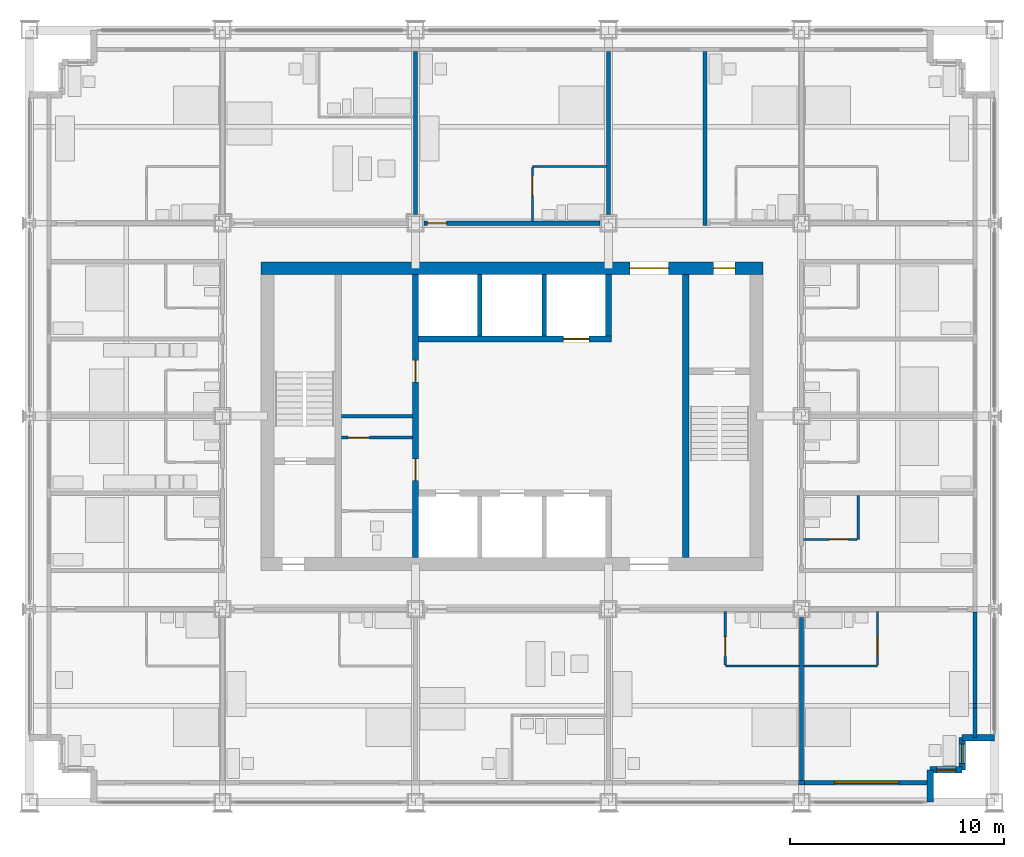
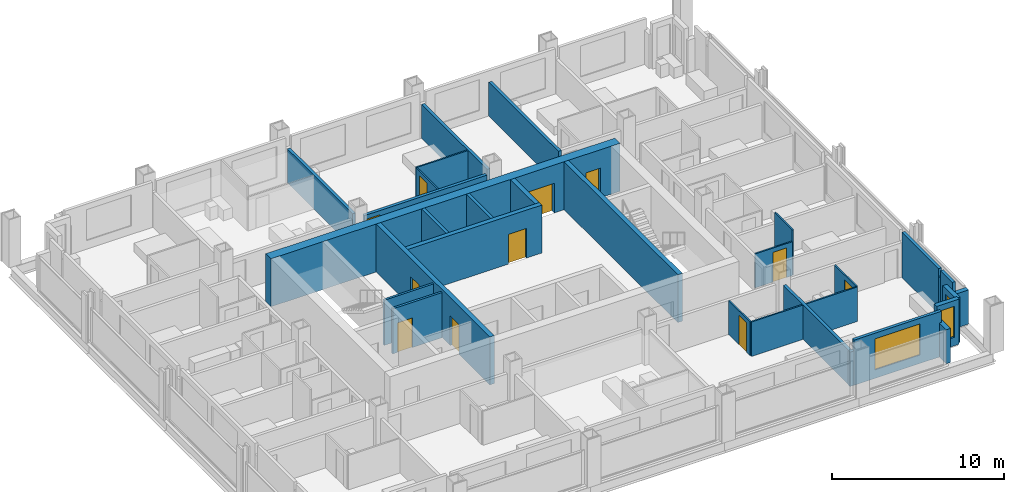
# One storey, part 11 of 16: 31 walls, 11 doors, 3 windows, 14 openings.
"""IFC4 building model written with IfcOpenShell, lengths in metres."""

from ifc_helpers import new_model, si_unit, direction, frame, frame_2d, origin, place, context, subcontext, project, spatial, rectangle, extrude, material, layer, layer_set, type_object, element, fill, save


model = new_model("IFC4")

# Units and contexts
model_context = context("Model", 3, precision=1e-05, world=origin(), true_north=direction((0.0, 1.0)))
body_context = subcontext(model_context, "Body", "Model", "MODEL_VIEW")
ifc_project = project(units=[si_unit("LENGTHUNIT", "METRE"), si_unit("AREAUNIT", "SQUARE_METRE"), si_unit("VOLUMEUNIT", "CUBIC_METRE"), si_unit("PLANEANGLEUNIT", "RADIAN"), si_unit("MASSUNIT", "GRAM", prefix="KILO")], contexts=[model_context])

# Site, building, storey
site_placement = place(None, origin())
site = spatial("IfcSite", under=ifc_project, at=site_placement, CompositionType="ELEMENT")
building_placement = place(site_placement, origin())
building = spatial("IfcBuilding", under=site, at=building_placement, Name="Loomwork Tower", CompositionType="ELEMENT")
storey_placement = place(building_placement, frame((0.0, 0.0, 111.199951171875)))
storey = spatial("IfcBuildingStorey", under=building, at=storey_placement, Name="L29", CompositionType="ELEMENT", Elevation=111.199951171875)

# Wall, openings, doors
ifc_material_1 = material(Name="Concrete 14000 psi (97 MPa)", Category="concrete")
ifc_layer_1 = layer(ifc_material_1, 0.300048828125)
ifc_layer_set_1 = layer_set([ifc_layer_1], Name="Core shear wall 300")
wall_type_1 = type_object("IfcWallType", Name="Core shear wall 300", PredefinedType="SHEAR", material=ifc_layer_set_1)
wall_1_placement = place(storey_placement, frame((18.0, 11.39990234375, 0.0), z_axis=(0.0, 0.0, 1.0), x_axis=(0.0, 1.0, 0.0)))
wall_1 = element("IfcWall", 1, at=wall_1_placement, inside=storey, type_object=wall_type_1, Name="Lobby west wall L29", PredefinedType="SHEAR", context=body_context, shape_type="SweptSolid", body=[
    extrude(rectangle(XDim=13.2001953125, YDim=0.300048828125, at=frame_2d((6.60009765625, 0.0))), origin(), (0.0, 0.0, 1.0), 3.400146484375),
])
opening_1_placement = place(wall_1_placement, frame((3.60009765625, 0.0, 0.0)))
opening_1 = element("IfcOpeningElement", 2, at=opening_1_placement, cuts=wall_1, Name="Opening D5", PredefinedType="OPENING", context=body_context, shape_type="SweptSolid", body=[
    extrude(rectangle(XDim=1.0, YDim=2.10009765625, at=frame_2d((0.5, 1.050048828125))), frame((0.0, 0.159912109375, 0.0), z_axis=(0.0, -1.0, 0.0), x_axis=(1.0, 0.0, 0.0)), (0.0, 0.0, 1.0), 0.320068359375),
])
opening_2_placement = place(wall_1_placement, frame((8.199951171875, 0.0, 0.0)))
opening_2 = element("IfcOpeningElement", 3, at=opening_2_placement, cuts=wall_1, Name="Opening D5", PredefinedType="OPENING", context=body_context, shape_type="SweptSolid", body=[
    extrude(rectangle(XDim=1.0, YDim=2.10009765625, at=frame_2d((0.5, 1.050048828125))), frame((0.0, 0.159912109375, 0.0), z_axis=(0.0, -1.0, 0.0), x_axis=(1.0, 0.0, 0.0)), (0.0, 0.0, 1.0), 0.320068359375),
])
ifc_material_2 = material(Name="Hollow metal door and frame")
door_type_1 = type_object("IfcDoorType", Name="Service door 1000", OperationType="SINGLE_SWING_LEFT", PredefinedType="DOOR", material=ifc_material_2)
door_1_placement = place(opening_1_placement, origin())
door_1 = element("IfcDoor", 4, at=door_1_placement, inside=storey, type_object=door_type_1, Name="Back-of-house door south", OperationType="SINGLE_SWING_LEFT", OverallHeight=2.10009765625, OverallWidth=1.0, PredefinedType="DOOR", context=body_context, shape_type="SweptSolid", body=[
    extrude(rectangle(XDim=1.0, YDim=2.10009765625, at=frame_2d((0.5, 1.050048828125))), frame((0.0, 0.02490234375, 0.0), z_axis=(0.0, -1.0, 0.0), x_axis=(1.0, 0.0, 0.0)), (0.0, 0.0, 1.0), 0.050048828125),
])
fill(opening_1, door_1)
door_2_placement = place(opening_2_placement, origin())
door_2 = element("IfcDoor", 5, at=door_2_placement, inside=storey, type_object=door_type_1, Name="Back-of-house door north", OperationType="SINGLE_SWING_RIGHT", OverallHeight=2.10009765625, OverallWidth=1.0, PredefinedType="DOOR", context=body_context, shape_type="SweptSolid", body=[
    extrude(rectangle(XDim=1.0, YDim=2.10009765625, at=frame_2d((0.5, 1.050048828125))), frame((0.0, 0.02490234375, 0.0), z_axis=(0.0, -1.0, 0.0), x_axis=(1.0, 0.0, 0.0)), (0.0, 0.0, 1.0), 0.050048828125),
])
fill(opening_2, door_2)

# Wall, opening, door
wall_2_placement = place(storey_placement, frame((18.14990234375, 21.60009765625, 0.0), z_axis=(0.0, 0.0, 1.0), x_axis=(1.0, 0.0, 0.0)))
wall_2 = element("IfcWall", 6, at=wall_2_placement, inside=storey, type_object=wall_type_1, Name="Lift front wall north L29", PredefinedType="SHEAR", context=body_context, shape_type="SweptSolid", body=[
    extrude(rectangle(XDim=9.0, YDim=0.300048828125, at=frame_2d((4.5, 0.0))), origin(), (0.0, 0.0, 1.0), 3.400146484375),
])
opening_3_placement = place(wall_2_placement, frame((6.75, 0.0, 0.0)))
opening_3 = element("IfcOpeningElement", 7, at=opening_3_placement, cuts=wall_2, Name="Opening LD2", PredefinedType="OPENING", context=body_context, shape_type="SweptSolid", body=[
    extrude(rectangle(XDim=1.199951171875, YDim=2.10009765625, at=frame_2d((0.60009765625, 1.050048828125))), frame((0.0, 0.159912109375, 0.0), z_axis=(0.0, -1.0, 0.0), x_axis=(1.0, 0.0, 0.0)), (0.0, 0.0, 1.0), 0.320068359375),
])
ifc_material_3 = material(Name="Hollow metal door and frame")
door_type_2 = type_object("IfcDoorType", Name="Lift landing door 1200", OperationType="SLIDING_TO_LEFT", PredefinedType="DOOR", material=ifc_material_3)
door_3_placement = place(opening_3_placement, origin())
door_3 = element("IfcDoor", 8, at=door_3_placement, inside=storey, type_object=door_type_2, Name="Lift landing door LF2", OperationType="SLIDING_TO_LEFT", OverallHeight=2.10009765625, OverallWidth=1.199951171875, PredefinedType="DOOR", context=body_context, shape_type="SweptSolid", body=[
    extrude(rectangle(XDim=1.199951171875, YDim=2.10009765625, at=frame_2d((0.60009765625, 1.050048828125))), frame((0.0, 0.02490234375, 0.0), z_axis=(0.0, -1.0, 0.0), x_axis=(1.0, 0.0, 0.0)), (0.0, 0.0, 1.0), 0.050048828125),
])
fill(opening_3, door_3)

# Walls
wall_3_placement = place(storey_placement, frame((27.0, 21.75, 0.0), z_axis=(0.0, 0.0, 1.0), x_axis=(0.0, 1.0, 0.0)))
element("IfcWall", 9, at=wall_3_placement, inside=storey, type_object=wall_type_1, Name="Lift shaft end wall north L29", PredefinedType="SHEAR", context=body_context, shape_type="SweptSolid", body=[
    extrude(rectangle(XDim=2.85009765625, YDim=0.300048828125, at=frame_2d((1.425048828125, 0.0))), origin(), (0.0, 0.0, 1.0), 3.400146484375),
])
wall_4_placement = place(storey_placement, frame((30.60009765625, 11.39990234375, 0.0), z_axis=(0.0, 0.0, 1.0), x_axis=(0.0, 1.0, 0.0)))
element("IfcWall", 10, at=wall_4_placement, inside=storey, type_object=wall_type_1, Name="Stair B west wall L29", PredefinedType="SHEAR", context=body_context, shape_type="SweptSolid", body=[
    extrude(rectangle(XDim=13.2001953125, YDim=0.300048828125, at=frame_2d((6.60009765625, 0.0))), origin(), (0.0, 0.0, 1.0), 3.400146484375),
])

# Wall, openings, doors
ifc_material_4 = material(Name="Concrete 14000 psi (97 MPa)", Category="concrete")
ifc_layer_2 = layer(ifc_material_4, 0.60009765625)
ifc_layer_set_2 = layer_set([ifc_layer_2], Name="Core shear wall 600")
wall_type_2 = type_object("IfcWallType", Name="Core shear wall 600", PredefinedType="SHEAR", material=ifc_layer_set_2)
wall_5_placement = place(storey_placement, frame((10.800048828125, 24.89990234375, 0.0), z_axis=(0.0, 0.0, 1.0), x_axis=(1.0, 0.0, 0.0)))
wall_5 = element("IfcWall", 11, at=wall_5_placement, inside=storey, type_object=wall_type_2, Name="Core wall north L29", PredefinedType="SHEAR", context=body_context, shape_type="SweptSolid", body=[
    extrude(rectangle(XDim=23.39990234375, YDim=0.60009765625, at=frame_2d((11.699951171875, 0.0))), origin(), (0.0, 0.0, 1.0), 3.400146484375),
])
opening_4_placement = place(wall_5_placement, frame((17.199951171875, 0.0, 0.0)))
opening_4 = element("IfcOpeningElement", 12, at=opening_4_placement, cuts=wall_5, Name="Opening D6", PredefinedType="OPENING", context=body_context, shape_type="SweptSolid", body=[
    extrude(rectangle(XDim=1.800048828125, YDim=2.10009765625, at=frame_2d((0.89990234375, 1.050048828125))), frame((0.0, 0.31005859375, 0.0), z_axis=(0.0, -1.0, 0.0), x_axis=(1.0, 0.0, 0.0)), (0.0, 0.0, 1.0), 0.6201171875),
])
opening_5_placement = place(wall_5_placement, frame((21.10009765625, 0.0, 0.0)))
opening_5 = element("IfcOpeningElement", 13, at=opening_5_placement, cuts=wall_5, Name="Opening D4", PredefinedType="OPENING", context=body_context, shape_type="SweptSolid", body=[
    extrude(rectangle(XDim=1.0, YDim=2.10009765625, at=frame_2d((0.5, 1.050048828125))), frame((0.0, 0.31005859375, 0.0), z_axis=(0.0, -1.0, 0.0), x_axis=(1.0, 0.0, 0.0)), (0.0, 0.0, 1.0), 0.6201171875),
])
ifc_material_5 = material(Name="Hollow metal door and frame")
door_type_3 = type_object("IfcDoorType", Name="Lobby passage double door 1800", OperationType="DOUBLE_DOOR_SINGLE_SWING", PredefinedType="DOOR", material=ifc_material_5)
door_4_placement = place(opening_4_placement, frame((1.800048828125, 0.0, 0.0), z_axis=(0.0, 0.0, 1.0), x_axis=(-1.0, 0.0, 0.0)))
door_4 = element("IfcDoor", 14, at=door_4_placement, inside=storey, type_object=door_type_3, Name="Lobby passage door north", OperationType="DOUBLE_DOOR_SINGLE_SWING", OverallHeight=2.10009765625, OverallWidth=1.800048828125, PredefinedType="DOOR", context=body_context, shape_type="SweptSolid", body=[
    extrude(rectangle(XDim=1.800048828125, YDim=2.10009765625, at=frame_2d((0.89990234375, 1.050048828125))), frame((0.0, 0.02490234375, 0.0), z_axis=(0.0, -1.0, 0.0), x_axis=(1.0, 0.0, 0.0)), (0.0, 0.0, 1.0), 0.050048828125),
])
fill(opening_4, door_4)
ifc_material_6 = material(Name="Hollow metal door and frame")
door_type_4 = type_object("IfcDoorType", Name="Stair door 1000", OperationType="SINGLE_SWING_RIGHT", PredefinedType="DOOR", material=ifc_material_6)
door_5_placement = place(opening_5_placement, frame((1.0, 0.0, 0.0), z_axis=(0.0, 0.0, 1.0), x_axis=(-1.0, 0.0, 0.0)))
door_5 = element("IfcDoor", 15, at=door_5_placement, inside=storey, type_object=door_type_4, Name="Stair B vestibule door", OperationType="SINGLE_SWING_LEFT", OverallHeight=2.10009765625, OverallWidth=1.0, PredefinedType="DOOR", context=body_context, shape_type="SweptSolid", body=[
    extrude(rectangle(XDim=1.0, YDim=2.10009765625, at=frame_2d((0.5, 1.050048828125))), frame((0.0, 0.02490234375, 0.0), z_axis=(0.0, -1.0, 0.0), x_axis=(1.0, 0.0, 0.0)), (0.0, 0.0, 1.0), 0.050048828125),
])
fill(opening_5, door_5)

# Wall, opening, door
ifc_material_7 = material(Name="Gypsum board on steel studs, one-hour", Category="steel")
ifc_layer_3 = layer(ifc_material_7, 0.199951171875)
ifc_layer_set_3 = layer_set([ifc_layer_3], Name="Corridor wall 200")
wall_type_3 = type_object("IfcWallType", Name="Corridor wall 200", PredefinedType="PARTITIONING", material=ifc_layer_set_3)
wall_6_placement = place(storey_placement, frame((18.39990234375, 27.0, 0.0), z_axis=(0.0, 0.0, 1.0), x_axis=(1.0, 0.0, 0.0)))
wall_6 = element("IfcWall", 16, at=wall_6_placement, inside=storey, type_object=wall_type_3, Name="North corridor wall 3", PredefinedType="PARTITIONING", context=body_context, shape_type="SweptSolid", body=[
    extrude(rectangle(XDim=8.2001953125, YDim=0.199951171875, at=frame_2d((4.10009765625, 0.0))), origin(), (0.0, 0.0, 1.0), 2.405029296875),
])
opening_6_placement = place(wall_6_placement, frame((0.14990234375, 0.0, 0.0)))
opening_6 = element("IfcOpeningElement", 17, at=opening_6_placement, cuts=wall_6, Name="Opening D1", PredefinedType="OPENING", context=body_context, shape_type="SweptSolid", body=[
    extrude(rectangle(XDim=0.89990234375, YDim=2.10009765625, at=frame_2d((0.449951171875, 1.050048828125))), frame((0.0, 0.10986328125, 0.0), z_axis=(0.0, -1.0, 0.0), x_axis=(1.0, 0.0, 0.0)), (0.0, 0.0, 1.0), 0.219970703125),
])
ifc_material_8 = material(Name="Hollow metal door and frame")
door_type_5 = type_object("IfcDoorType", Name="Guest room entry door 900", OperationType="SINGLE_SWING_LEFT", PredefinedType="DOOR", material=ifc_material_8)
door_6_placement = place(opening_6_placement, origin())
door_6 = element("IfcDoor", 18, at=door_6_placement, inside=storey, type_object=door_type_5, Name="Guest room entry door L29 8", OperationType="SINGLE_SWING_LEFT", OverallHeight=2.10009765625, OverallWidth=0.89990234375, PredefinedType="DOOR", context=body_context, shape_type="SweptSolid", body=[
    extrude(rectangle(XDim=0.89990234375, YDim=2.10009765625, at=frame_2d((0.449951171875, 1.050048828125))), frame((0.0, 0.02490234375, 0.0), z_axis=(0.0, -1.0, 0.0), x_axis=(1.0, 0.0, 0.0)), (0.0, 0.0, 1.0), 0.050048828125),
])
fill(opening_6, door_6)

# Wall
ifc_material_9 = material(Name="Cement board on steel studs", Category="steel")
ifc_layer_4 = layer(ifc_material_9, 0.10009765625)
ifc_layer_set_4 = layer_set([ifc_layer_4], Name="En-suite partition 100")
wall_type_4 = type_object("IfcWallType", Name="En-suite partition 100", PredefinedType="PARTITIONING", material=ifc_layer_set_4)
wall_7_placement = place(storey_placement, frame((32.449951171875, 6.35009765625, 0.0), z_axis=(0.0, 0.0, 1.0), x_axis=(1.0, 0.0, 0.0)))
element("IfcWall", 19, at=wall_7_placement, inside=storey, type_object=wall_type_4, Name="En-suite wall L29 room 4", PredefinedType="PARTITIONING", context=body_context, shape_type="SweptSolid", body=[
    extrude(rectangle(XDim=3.449951171875, YDim=0.10009765625, at=frame_2d((1.72509765625, 0.0))), origin(), (0.0, 0.0, 1.0), 2.43798828125),
])

# Wall, opening, door
wall_8_placement = place(storey_placement, frame((32.449951171875, 8.89990234375, 0.0), z_axis=(0.0, 0.0, 1.0), x_axis=(0.0, -1.0, 0.0)))
wall_8 = element("IfcWall", 20, at=wall_8_placement, inside=storey, type_object=wall_type_4, Name="En-suite side wall L29 room 4", PredefinedType="PARTITIONING", context=body_context, shape_type="SweptSolid", body=[
    extrude(rectangle(XDim=2.5, YDim=0.10009765625, at=frame_2d((1.25, 0.0))), origin(), (0.0, 0.0, 1.0), 2.404052734375),
])
opening_7_placement = place(wall_8_placement, frame((1.199951171875, 0.0, 0.0)))
opening_7 = element("IfcOpeningElement", 21, at=opening_7_placement, cuts=wall_8, Name="Opening D2", PredefinedType="OPENING", context=body_context, shape_type="SweptSolid", body=[
    extrude(rectangle(XDim=0.89990234375, YDim=2.10009765625, at=frame_2d((0.449951171875, 1.050048828125))), frame((0.0, 0.06005859375, 0.0), z_axis=(0.0, -1.0, 0.0), x_axis=(1.0, 0.0, 0.0)), (0.0, 0.0, 1.0), 0.1201171875),
])
ifc_material_10 = material(Name="Hollow metal door and frame")
door_type_6 = type_object("IfcDoorType", Name="En-suite door 900", OperationType="SINGLE_SWING_LEFT", PredefinedType="DOOR", material=ifc_material_10)
door_7_placement = place(opening_7_placement, origin())
door_7 = element("IfcDoor", 22, at=door_7_placement, inside=storey, type_object=door_type_6, Name="En-suite door room 4", OperationType="SINGLE_SWING_RIGHT", OverallHeight=2.10009765625, OverallWidth=0.89990234375, PredefinedType="DOOR", context=body_context, shape_type="SweptSolid", body=[
    extrude(rectangle(XDim=0.89990234375, YDim=2.10009765625, at=frame_2d((0.449951171875, 1.050048828125))), frame((0.0, 0.02490234375, 0.0), z_axis=(0.0, -1.0, 0.0), x_axis=(1.0, 0.0, 0.0)), (0.0, 0.0, 1.0), 0.050048828125),
])
fill(opening_7, door_7)

# Wall
wall_9_placement = place(storey_placement, frame((36.10009765625, 6.35009765625, 0.0), z_axis=(0.0, 0.0, 1.0), x_axis=(1.0, 0.0, 0.0)))
element("IfcWall", 23, at=wall_9_placement, inside=storey, type_object=wall_type_4, Name="En-suite wall L29 room 5", PredefinedType="PARTITIONING", context=body_context, shape_type="SweptSolid", body=[
    extrude(rectangle(XDim=3.449951171875, YDim=0.10009765625, at=frame_2d((1.72509765625, 0.0))), origin(), (0.0, 0.0, 1.0), 2.43798828125),
])

# Wall, opening, door
wall_10_placement = place(storey_placement, frame((39.550048828125, 8.89990234375, 0.0), z_axis=(0.0, 0.0, 1.0), x_axis=(0.0, -1.0, 0.0)))
wall_10 = element("IfcWall", 24, at=wall_10_placement, inside=storey, type_object=wall_type_4, Name="En-suite side wall L29 room 5", PredefinedType="PARTITIONING", context=body_context, shape_type="SweptSolid", body=[
    extrude(rectangle(XDim=2.5, YDim=0.10009765625, at=frame_2d((1.25, 0.0))), origin(), (0.0, 0.0, 1.0), 2.43798828125),
])
opening_8_placement = place(wall_10_placement, frame((1.199951171875, 0.0, 0.0)))
opening_8 = element("IfcOpeningElement", 25, at=opening_8_placement, cuts=wall_10, Name="Opening D2", PredefinedType="OPENING", context=body_context, shape_type="SweptSolid", body=[
    extrude(rectangle(XDim=0.89990234375, YDim=2.10009765625, at=frame_2d((0.449951171875, 1.050048828125))), frame((0.0, 0.06005859375, 0.0), z_axis=(0.0, -1.0, 0.0), x_axis=(1.0, 0.0, 0.0)), (0.0, 0.0, 1.0), 0.1201171875),
])
door_8_placement = place(opening_8_placement, frame((0.89990234375, 0.0, 0.0), z_axis=(0.0, 0.0, 1.0), x_axis=(-1.0, 0.0, 0.0)))
door_8 = element("IfcDoor", 26, at=door_8_placement, inside=storey, type_object=door_type_6, Name="En-suite door room 5", OperationType="SINGLE_SWING_LEFT", OverallHeight=2.10009765625, OverallWidth=0.89990234375, PredefinedType="DOOR", context=body_context, shape_type="SweptSolid", body=[
    extrude(rectangle(XDim=0.89990234375, YDim=2.10009765625, at=frame_2d((0.449951171875, 1.050048828125))), frame((0.0, 0.02490234375, 0.0), z_axis=(0.0, -1.0, 0.0), x_axis=(1.0, 0.0, 0.0)), (0.0, 0.0, 1.0), 0.050048828125),
])
fill(opening_8, door_8)

# Wall
wall_11_placement = place(storey_placement, frame((23.449951171875, 29.64990234375, 0.0), z_axis=(0.0, 0.0, 1.0), x_axis=(1.0, 0.0, 0.0)))
element("IfcWall", 27, at=wall_11_placement, inside=storey, type_object=wall_type_4, Name="En-suite wall L29 room 8", PredefinedType="PARTITIONING", context=body_context, shape_type="SweptSolid", body=[
    extrude(rectangle(XDim=3.449951171875, YDim=0.10009765625, at=frame_2d((1.72509765625, 0.0))), origin(), (0.0, 0.0, 1.0), 2.404052734375),
])

# Wall, opening, door
wall_12_placement = place(storey_placement, frame((23.449951171875, 27.10009765625, 0.0), z_axis=(0.0, 0.0, 1.0), x_axis=(0.0, 1.0, 0.0)))
wall_12 = element("IfcWall", 28, at=wall_12_placement, inside=storey, type_object=wall_type_4, Name="En-suite side wall L29 room 8", PredefinedType="PARTITIONING", context=body_context, shape_type="SweptSolid", body=[
    extrude(rectangle(XDim=2.5, YDim=0.10009765625, at=frame_2d((1.25, 0.0))), origin(), (0.0, 0.0, 1.0), 2.404052734375),
])
opening_9_placement = place(wall_12_placement, frame((1.199951171875, 0.0, 0.0)))
opening_9 = element("IfcOpeningElement", 29, at=opening_9_placement, cuts=wall_12, Name="Opening D2", PredefinedType="OPENING", context=body_context, shape_type="SweptSolid", body=[
    extrude(rectangle(XDim=0.89990234375, YDim=2.10009765625, at=frame_2d((0.449951171875, 1.050048828125))), frame((0.0, 0.06005859375, 0.0), z_axis=(0.0, -1.0, 0.0), x_axis=(1.0, 0.0, 0.0)), (0.0, 0.0, 1.0), 0.1201171875),
])
door_9_placement = place(opening_9_placement, frame((0.89990234375, 0.0, 0.0), z_axis=(0.0, 0.0, 1.0), x_axis=(-1.0, 0.0, 0.0)))
door_9 = element("IfcDoor", 30, at=door_9_placement, inside=storey, type_object=door_type_6, Name="En-suite door room 8", OperationType="SINGLE_SWING_LEFT", OverallHeight=2.10009765625, OverallWidth=0.89990234375, PredefinedType="DOOR", context=body_context, shape_type="SweptSolid", body=[
    extrude(rectangle(XDim=0.89990234375, YDim=2.10009765625, at=frame_2d((0.449951171875, 1.050048828125))), frame((0.0, 0.02490234375, 0.0), z_axis=(0.0, -1.0, 0.0), x_axis=(1.0, 0.0, 0.0)), (0.0, 0.0, 1.0), 0.050048828125),
])
fill(opening_9, door_9)

# Wall
wall_13_placement = place(storey_placement, frame((38.64990234375, 12.25, 0.0), z_axis=(0.0, 0.0, 1.0), x_axis=(0.0, 1.0, 0.0)))
element("IfcWall", 31, at=wall_13_placement, inside=storey, type_object=wall_type_4, Name="En-suite wall L29 room 15", PredefinedType="PARTITIONING", context=body_context, shape_type="SweptSolid", body=[
    extrude(rectangle(XDim=2.050048828125, YDim=0.10009765625, at=frame_2d((1.02490234375, 0.0))), origin(), (0.0, 0.0, 1.0), 3.199951171875),
])

# Wall, opening, door
wall_14_placement = place(storey_placement, frame((36.10009765625, 12.25, 0.0), z_axis=(0.0, 0.0, 1.0), x_axis=(1.0, 0.0, 0.0)))
wall_14 = element("IfcWall", 32, at=wall_14_placement, inside=storey, type_object=wall_type_4, Name="En-suite side wall L29 room 15", PredefinedType="PARTITIONING", context=body_context, shape_type="SweptSolid", body=[
    extrude(rectangle(XDim=2.5, YDim=0.10009765625, at=frame_2d((1.25, 0.0))), origin(), (0.0, 0.0, 1.0), 2.404052734375),
])
opening_10_placement = place(wall_14_placement, frame((1.199951171875, 0.0, 0.0)))
opening_10 = element("IfcOpeningElement", 33, at=opening_10_placement, cuts=wall_14, Name="Opening D2", PredefinedType="OPENING", context=body_context, shape_type="SweptSolid", body=[
    extrude(rectangle(XDim=0.89990234375, YDim=2.10009765625, at=frame_2d((0.449951171875, 1.050048828125))), frame((0.0, 0.06005859375, 0.0), z_axis=(0.0, -1.0, 0.0), x_axis=(1.0, 0.0, 0.0)), (0.0, 0.0, 1.0), 0.1201171875),
])
door_10_placement = place(opening_10_placement, origin())
door_10 = element("IfcDoor", 34, at=door_10_placement, inside=storey, type_object=door_type_6, Name="En-suite door room 15", OperationType="SINGLE_SWING_RIGHT", OverallHeight=2.10009765625, OverallWidth=0.89990234375, PredefinedType="DOOR", context=body_context, shape_type="SweptSolid", body=[
    extrude(rectangle(XDim=0.89990234375, YDim=2.10009765625, at=frame_2d((0.449951171875, 1.050048828125))), frame((0.0, 0.02490234375, 0.0), z_axis=(0.0, -1.0, 0.0), x_axis=(1.0, 0.0, 0.0)), (0.0, 0.0, 1.0), 0.050048828125),
])
fill(opening_10, door_10)

# Walls
ifc_material_11 = material(Name="Gypsum board on steel studs, acoustic", Category="steel")
ifc_layer_5 = layer(ifc_material_11, 0.199951171875)
ifc_layer_set_5 = layer_set([ifc_layer_5], Name="Guest room party wall 200")
wall_type_5 = type_object("IfcWallType", Name="Guest room party wall 200", PredefinedType="PARTITIONING", material=ifc_layer_set_5)
wall_15_placement = place(storey_placement, frame((36.0, 8.60009765625, 0.0), z_axis=(0.0, 0.0, 1.0), x_axis=(0.0, -1.0, 0.0)))
element("IfcWall", 35, at=wall_15_placement, inside=storey, type_object=wall_type_5, Name="Guest room party wall S 36", PredefinedType="PARTITIONING", context=body_context, shape_type="SweptSolid", body=[
    extrude(rectangle(XDim=7.60009765625, YDim=0.199951171875, at=frame_2d((3.800048828125, 0.0))), origin(), (0.0, 0.0, 1.0), 2.43798828125),
])
for number, where, z_axis, x_axis, name in (
    (36, (18.0, 27.39990234375, 0.0), (0.0, 0.0, 1.0), (0.0, 1.0, 0.0), "Guest room party wall N 18"),
    (37, (27.0, 27.39990234375, 0.0), (0.0, 0.0, 1.0), (0.0, 1.0, 0.0), "Guest room party wall N 27"),
):
    element("IfcWall", number, at=place(storey_placement, frame(where, z_axis=z_axis, x_axis=x_axis)), inside=storey, type_object=wall_type_5, Name=name, PredefinedType="PARTITIONING", context=body_context, shape_type="SweptSolid", body=[
        extrude(rectangle(XDim=7.60009765625, YDim=0.199951171875, at=frame_2d((3.800048828125, 0.0))), origin(), (0.0, 0.0, 1.0), 2.405029296875),
    ])
wall_16_placement = place(storey_placement, frame((31.5, 26.89990234375, 0.0), z_axis=(0.0, 0.0, 1.0), x_axis=(0.0, 1.0, 0.0)))
element("IfcWall", 38, at=wall_16_placement, inside=storey, type_object=wall_type_5, Name="Guest room party wall N 31.5", PredefinedType="PARTITIONING", context=body_context, shape_type="SweptSolid", body=[
    extrude(rectangle(XDim=8.10009765625, YDim=0.199951171875, at=frame_2d((4.050048828125, 0.0))), origin(), (0.0, 0.0, 1.0), 2.404052734375),
])
ifc_material_12 = material(Name="Insulated steel stud wall with gypsum lining", Category="steel")
ifc_layer_6 = layer(ifc_material_12, 0.199951171875)
ifc_layer_set_6 = layer_set([ifc_layer_6], Name="Inner skin wall 200")
wall_type_6 = type_object("IfcWallType", Name="Inner skin wall 200", PredefinedType="SOLIDWALL", material=ifc_layer_set_6)
wall_17_placement = place(storey_placement, frame((44.10009765625, 3.0, 0.0), z_axis=(0.0, 0.0, 1.0), x_axis=(0.0, 1.0, 0.0)))
element("IfcWall", 39, at=wall_17_placement, inside=storey, type_object=wall_type_6, Name="Inner skin wall E", PredefinedType="SOLIDWALL", context=body_context, shape_type="SweptSolid", body=[
    extrude(rectangle(XDim=1.392578125, YDim=0.199951171875, at=frame_2d((0.6962890625, 0.0))), origin(), (0.0, 0.0, 1.0), 3.199951171875),
])
wall_18_placement = place(storey_placement, frame((35.864501953125, 0.89990234375, 0.0), z_axis=(0.0, 0.0, 1.0), x_axis=(1.0, 0.0, 0.0)))
element("IfcWall", 40, at=wall_18_placement, inside=storey, type_object=wall_type_6, Name="Inner skin wall S bay 8", PredefinedType="SOLIDWALL", context=body_context, shape_type="SweptSolid", body=[
    extrude(rectangle(XDim=0.27099609375, YDim=0.199951171875, at=frame_2d((0.135498046875, 0.0))), origin(), (0.0, 0.0, 1.0), 2.43798828125),
])

# Wall, opening, window
wall_19_placement = place(storey_placement, frame((36.135498046875, 0.89990234375, 0.0), z_axis=(0.0, 0.0, 1.0), x_axis=(1.0, 0.0, 0.0)))
wall_19 = element("IfcWall", 41, at=wall_19_placement, inside=storey, type_object=wall_type_6, Name="Inner skin wall S bay 9", PredefinedType="SOLIDWALL", context=body_context, shape_type="SweptSolid", body=[
    extrude(rectangle(XDim=5.864501953125, YDim=0.199951171875, at=frame_2d((2.93212890625, 0.0))), origin(), (0.0, 0.0, 1.0), 3.199951171875),
])
opening_11_placement = place(wall_19_placement, frame((1.41455078125, 0.0, 0.60009765625)))
opening_11 = element("IfcOpeningElement", 42, at=opening_11_placement, cuts=wall_19, Name="Opening CH1", PredefinedType="OPENING", context=body_context, shape_type="SweptSolid", body=[
    extrude(rectangle(XDim=3.0, YDim=2.199951171875, at=frame_2d((1.5, 1.10009765625))), frame((0.0, 0.10986328125, 0.0), z_axis=(0.0, -1.0, 0.0), x_axis=(1.0, 0.0, 0.0)), (0.0, 0.0, 1.0), 0.219970703125),
])
ifc_material_13 = material(Name="Aluminium frame with clear insulated glass", Category="aluminium")
window_type_1 = type_object("IfcWindowType", Name="Chicago window 3000", PartitioningType="TRIPLE_PANEL_VERTICAL", PredefinedType="WINDOW", material=ifc_material_13)
window_1_placement = place(opening_11_placement, origin())
window_1 = element("IfcWindow", 43, at=window_1_placement, inside=storey, type_object=window_type_1, Name="Chicago window L29 bay 5", OverallHeight=2.199951171875, OverallWidth=3.0, PartitioningType="TRIPLE_PANEL_VERTICAL", PredefinedType="WINDOW", context=body_context, shape_type="SweptSolid", body=[
    extrude(rectangle(XDim=3.0, YDim=2.199951171875, at=frame_2d((1.5, 1.10009765625))), frame((0.0, 0.030029296875, 0.0), z_axis=(0.0, -1.0, 0.0), x_axis=(1.0, 0.0, 0.0)), (0.0, 0.0, 1.0), 0.06005859375),
])
fill(opening_11, window_1)

# Walls
wall_20_placement = place(storey_placement, frame((44.10009765625, 4.392578125, 0.0), z_axis=(0.0, 0.0, 1.0), x_axis=(0.0, 1.0, 0.0)))
element("IfcWall", 44, at=wall_20_placement, inside=storey, type_object=wall_type_6, Name="Inner skin wall E bay 2", PredefinedType="SOLIDWALL", context=body_context, shape_type="SweptSolid", body=[
    extrude(rectangle(XDim=0.21484375, YDim=0.199951171875, at=frame_2d((0.107421875, 0.0))), origin(), (0.0, 0.0, 1.0), 2.6611328125),
])
wall_21_placement = place(storey_placement, frame((44.10009765625, 4.607421875, 0.0), z_axis=(0.0, 0.0, 1.0), x_axis=(0.0, 1.0, 0.0)))
element("IfcWall", 45, at=wall_21_placement, inside=storey, type_object=wall_type_6, Name="Inner skin wall E bay 3", PredefinedType="SOLIDWALL", context=body_context, shape_type="SweptSolid", body=[
    extrude(rectangle(XDim=4.25732421875, YDim=0.199951171875, at=frame_2d((2.128662109375, 0.0))), origin(), (0.0, 0.0, 1.0), 3.199951171875),
])
ifc_material_14 = material(Name="Concrete 14000 psi (97 MPa)", Category="concrete")
ifc_layer_7 = layer(ifc_material_14, 0.199951171875)
ifc_layer_set_7 = layer_set([ifc_layer_7], Name="Lift shaft wall 200")
wall_type_7 = type_object("IfcWallType", Name="Lift shaft wall 200", PredefinedType="SHEAR", material=ifc_layer_set_7)
for number, where, z_axis, x_axis, name in (
    (46, (21.0, 21.75, 0.0), (0.0, 0.0, 1.0), (0.0, 1.0, 0.0), "Lift shaft separation wall north 1 L29"),
    (47, (24.0, 21.75, 0.0), (0.0, 0.0, 1.0), (0.0, 1.0, 0.0), "Lift shaft separation wall north 2 L29"),
):
    element("IfcWall", number, at=place(storey_placement, frame(where, z_axis=z_axis, x_axis=x_axis)), inside=storey, type_object=wall_type_7, Name=name, PredefinedType="SHEAR", context=body_context, shape_type="SweptSolid", body=[
        extrude(rectangle(XDim=2.85009765625, YDim=0.199951171875, at=frame_2d((1.425048828125, 0.0))), origin(), (0.0, 0.0, 1.0), 3.400146484375),
    ])
ifc_material_15 = material(Name="Limestone on concrete masonry", Category="masonry")
ifc_layer_8 = layer(ifc_material_15, 0.300048828125)
ifc_layer_set_8 = layer_set([ifc_layer_8], Name="Limestone corner wall 300")
wall_type_8 = type_object("IfcWallType", Name="Limestone corner wall 300", PredefinedType="SOLIDWALL", material=ifc_layer_set_8)
wall_22_placement = place(storey_placement, frame((42.0, 0.0, 0.0), z_axis=(0.0, 0.0, 1.0), x_axis=(0.0, 1.0, 0.0)))
element("IfcWall", 48, at=wall_22_placement, inside=storey, type_object=wall_type_8, Name="Stone corner wall SE 1", PredefinedType="SOLIDWALL", context=body_context, shape_type="SweptSolid", body=[
    extrude(rectangle(XDim=1.5, YDim=0.300048828125, at=frame_2d((0.75, 0.0))), origin(), (0.0, 0.0, 1.0), 2.420166015625),
])

# Wall, opening, window
wall_23_placement = place(storey_placement, frame((42.0, 1.5, 0.0), z_axis=(0.0, 0.0, 1.0), x_axis=(1.0, 0.0, 0.0)))
wall_23 = element("IfcWall", 49, at=wall_23_placement, inside=storey, type_object=wall_type_8, Name="Stone corner wall SE 2", PredefinedType="SOLIDWALL", context=body_context, shape_type="SweptSolid", body=[
    extrude(rectangle(XDim=1.5, YDim=0.300048828125, at=frame_2d((0.75, 0.0))), origin(), (0.0, 0.0, 1.0), 3.199951171875),
])
opening_12_placement = place(wall_23_placement, frame((0.300048828125, 0.0, 0.60009765625)))
opening_12 = element("IfcOpeningElement", 50, at=opening_12_placement, cuts=wall_23, Name="Opening CH2", PredefinedType="OPENING", context=body_context, shape_type="SweptSolid", body=[
    extrude(rectangle(XDim=0.89990234375, YDim=2.199951171875, at=frame_2d((0.449951171875, 1.10009765625))), frame((0.0, 0.159912109375, 0.0), z_axis=(0.0, -1.0, 0.0), x_axis=(1.0, 0.0, 0.0)), (0.0, 0.0, 1.0), 0.320068359375),
])
ifc_material_16 = material(Name="Aluminium frame with clear insulated glass", Category="aluminium")
window_type_2 = type_object("IfcWindowType", Name="Corner window 900", PartitioningType="SINGLE_PANEL", PredefinedType="WINDOW", material=ifc_material_16)
window_2_placement = place(opening_12_placement, origin())
window_2 = element("IfcWindow", 51, at=window_2_placement, inside=storey, type_object=window_type_2, Name="Corner window SE", OverallHeight=2.199951171875, OverallWidth=0.89990234375, PartitioningType="SINGLE_PANEL", PredefinedType="WINDOW", context=body_context, shape_type="SweptSolid", body=[
    extrude(rectangle(XDim=0.89990234375, YDim=2.199951171875, at=frame_2d((0.449951171875, 1.10009765625))), frame((0.0, 0.030029296875, 0.0), z_axis=(0.0, -1.0, 0.0), x_axis=(1.0, 0.0, 0.0)), (0.0, 0.0, 1.0), 0.06005859375),
])
fill(opening_12, window_2)

wall_24_placement = place(storey_placement, frame((43.5, 1.5, 0.0), z_axis=(0.0, 0.0, 1.0), x_axis=(0.0, 1.0, 0.0)))
wall_24 = element("IfcWall", 52, at=wall_24_placement, inside=storey, type_object=wall_type_8, Name="Stone corner wall SE 3", PredefinedType="SOLIDWALL", context=body_context, shape_type="SweptSolid", body=[
    extrude(rectangle(XDim=1.5, YDim=0.300048828125, at=frame_2d((0.75, 0.0))), origin(), (0.0, 0.0, 1.0), 3.199951171875),
])
opening_13_placement = place(wall_24_placement, frame((0.300048828125, 0.0, 0.60009765625)))
opening_13 = element("IfcOpeningElement", 53, at=opening_13_placement, cuts=wall_24, Name="Opening CH2", PredefinedType="OPENING", context=body_context, shape_type="SweptSolid", body=[
    extrude(rectangle(XDim=0.89990234375, YDim=2.199951171875, at=frame_2d((0.449951171875, 1.10009765625))), frame((0.0, 0.159912109375, 0.0), z_axis=(0.0, -1.0, 0.0), x_axis=(1.0, 0.0, 0.0)), (0.0, 0.0, 1.0), 0.320068359375),
])
window_3_placement = place(opening_13_placement, origin())
window_3 = element("IfcWindow", 54, at=window_3_placement, inside=storey, type_object=window_type_2, Name="Corner window SE", OverallHeight=2.199951171875, OverallWidth=0.89990234375, PartitioningType="SINGLE_PANEL", PredefinedType="WINDOW", context=body_context, shape_type="SweptSolid", body=[
    extrude(rectangle(XDim=0.89990234375, YDim=2.199951171875, at=frame_2d((0.449951171875, 1.10009765625))), frame((0.0, 0.030029296875, 0.0), z_axis=(0.0, -1.0, 0.0), x_axis=(1.0, 0.0, 0.0)), (0.0, 0.0, 1.0), 0.06005859375),
])
fill(opening_13, window_3)

# Walls
wall_25_placement = place(storey_placement, frame((43.5, 3.0, 0.0), z_axis=(0.0, 0.0, 1.0), x_axis=(1.0, 0.0, 0.0)))
element("IfcWall", 55, at=wall_25_placement, inside=storey, type_object=wall_type_8, Name="Stone corner wall SE 4", PredefinedType="SOLIDWALL", context=body_context, shape_type="SweptSolid", body=[
    extrude(rectangle(XDim=1.5, YDim=0.300048828125, at=frame_2d((0.75, 0.0))), origin(), (0.0, 0.0, 1.0), 2.420166015625),
])
ifc_material_17 = material(Name="Gypsum board on steel studs", Category="steel")
ifc_layer_9 = layer(ifc_material_17, 0.14990234375)
ifc_layer_set_9 = layer_set([ifc_layer_9], Name="Partition 150 two-hour")
wall_type_9 = type_object("IfcWallType", Name="Partition 150 two-hour", PredefinedType="PARTITIONING", material=ifc_layer_set_9)
wall_26_placement = place(storey_placement, frame((14.550048828125, 18.0, 0.0), z_axis=(0.0, 0.0, 1.0), x_axis=(1.0, 0.0, 0.0)))
element("IfcWall", 56, at=wall_26_placement, inside=storey, type_object=wall_type_9, Name="Back-of-house dividing wall L29", PredefinedType="PARTITIONING", context=body_context, shape_type="SweptSolid", body=[
    extrude(rectangle(XDim=3.300048828125, YDim=0.14990234375, at=frame_2d((1.64990234375, 0.0))), origin(), (0.0, 0.0, 1.0), 3.199951171875),
])

# Wall, opening, door
ifc_material_18 = material(Name="Gypsum board on steel studs, one-hour", Category="steel")
ifc_layer_10 = layer(ifc_material_18, 0.14990234375)
ifc_layer_set_10 = layer_set([ifc_layer_10], Name="Service partition 150")
wall_type_10 = type_object("IfcWallType", Name="Service partition 150", PredefinedType="PARTITIONING", material=ifc_layer_set_10)
wall_27_placement = place(storey_placement, frame((14.550048828125, 17.0, 0.0), z_axis=(0.0, 0.0, 1.0), x_axis=(1.0, 0.0, 0.0)))
wall_27 = element("IfcWall", 57, at=wall_27_placement, inside=storey, type_object=wall_type_10, Name="Riser enclosure L29", PredefinedType="PARTITIONING", context=body_context, shape_type="SweptSolid", body=[
    extrude(rectangle(XDim=3.300048828125, YDim=0.14990234375, at=frame_2d((1.64990234375, 0.0))), origin(), (0.0, 0.0, 1.0), 3.199951171875),
])
opening_14_placement = place(wall_27_placement, frame((0.300048828125, 0.0, 0.0)))
opening_14 = element("IfcOpeningElement", 58, at=opening_14_placement, cuts=wall_27, Name="Opening D18", PredefinedType="OPENING", context=body_context, shape_type="SweptSolid", body=[
    extrude(rectangle(XDim=1.0, YDim=2.10009765625, at=frame_2d((0.5, 1.050048828125))), frame((0.0, 0.0849609375, 0.0), z_axis=(0.0, -1.0, 0.0), x_axis=(1.0, 0.0, 0.0)), (0.0, 0.0, 1.0), 0.169921875),
])
ifc_material_19 = material(Name="Hollow metal door and frame")
door_type_7 = type_object("IfcDoorType", Name="Ninety-minute service door 1000", OperationType="SINGLE_SWING_LEFT", PredefinedType="DOOR", material=ifc_material_19)
door_11_placement = place(opening_14_placement, frame((1.0, 0.0, 0.0), z_axis=(0.0, 0.0, 1.0), x_axis=(-1.0, 0.0, 0.0)))
door_11 = element("IfcDoor", 59, at=door_11_placement, inside=storey, type_object=door_type_7, Name="Riser access door", OperationType="SINGLE_SWING_RIGHT", OverallHeight=2.10009765625, OverallWidth=1.0, PredefinedType="DOOR", context=body_context, shape_type="SweptSolid", body=[
    extrude(rectangle(XDim=1.0, YDim=2.10009765625, at=frame_2d((0.5, 1.050048828125))), frame((0.0, 0.02490234375, 0.0), z_axis=(0.0, -1.0, 0.0), x_axis=(1.0, 0.0, 0.0)), (0.0, 0.0, 1.0), 0.050048828125),
])
fill(opening_14, door_11)

save(model, "model.ifc")
